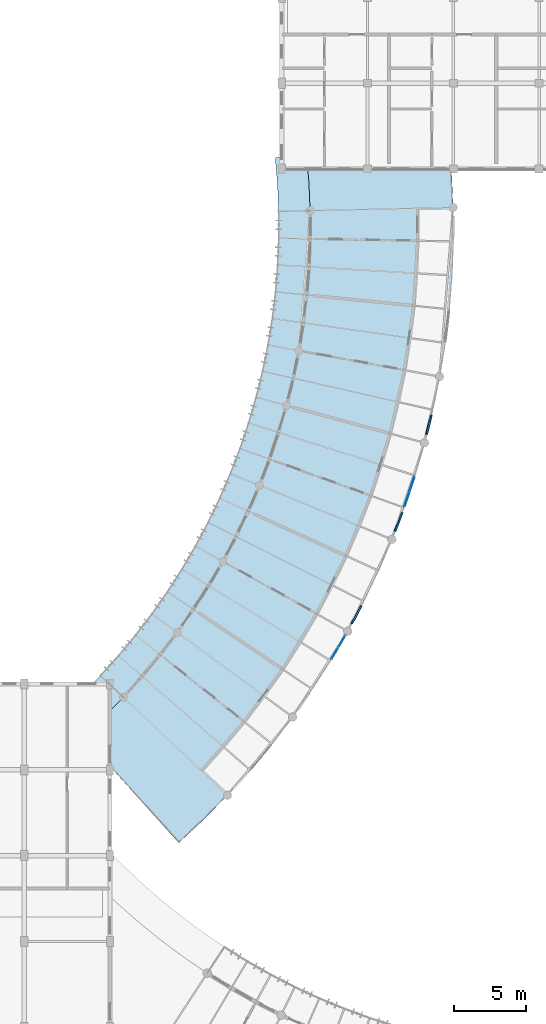
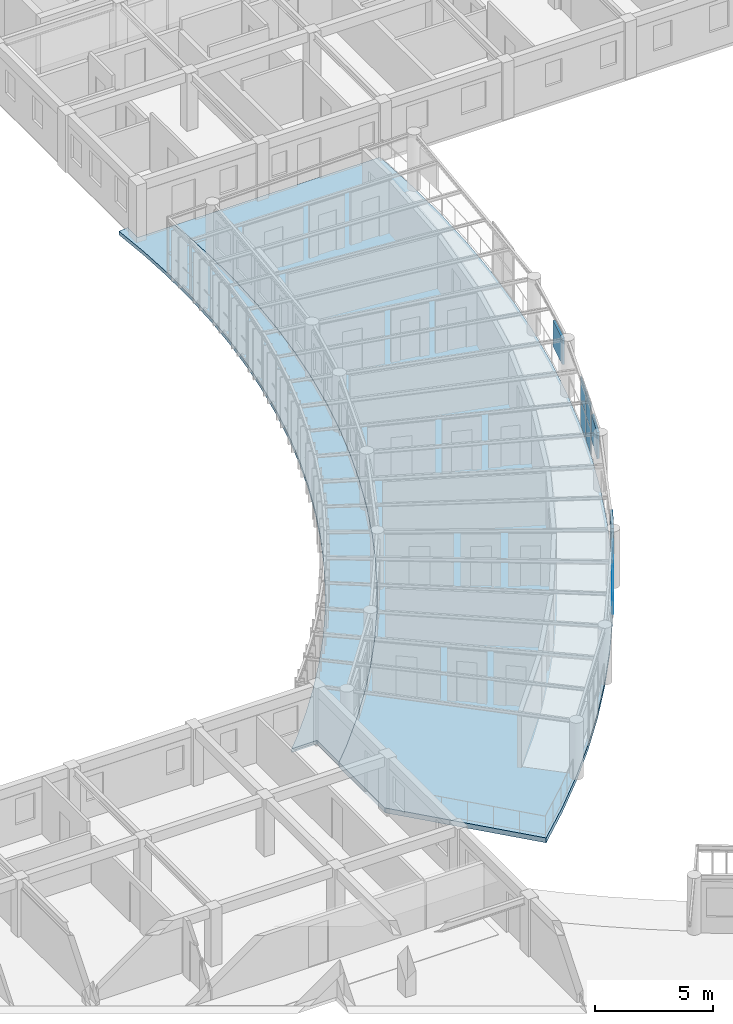
# One storey, part 45 of 101: 11 plates, 2 slabs, 2 elements without a shape of their own.
"""IFC4 building model written with IfcOpenShell, lengths in metres."""

from ifc_helpers import new_model, si_unit, direction, frame, origin, origin_2d, place, context, subcontext, project, spatial, polyline, rectangle, outline, extrude, material, layer, layer_set, type_object, element, aggregate, save


model = new_model("IFC4")

# Units and contexts
model_context = context("Model", 3, precision=1e-05, world=origin(), true_north=direction((0.0, 1.0)))
body_context = subcontext(model_context, "Body", "Model", "MODEL_VIEW")
ifc_project = project(units=[si_unit("LENGTHUNIT", "METRE"), si_unit("AREAUNIT", "SQUARE_METRE"), si_unit("VOLUMEUNIT", "CUBIC_METRE"), si_unit("PLANEANGLEUNIT", "RADIAN"), si_unit("MASSUNIT", "GRAM", prefix="KILO"), si_unit("POWERUNIT", "WATT"), si_unit("THERMODYNAMICTEMPERATUREUNIT", "KELVIN")], contexts=[model_context])

# Site, building, storey
site_placement = place(None, origin())
site = spatial("IfcSite", under=ifc_project, at=site_placement, CompositionType="ELEMENT")
building_placement = place(site_placement, origin())
building = spatial("IfcBuilding", under=site, at=building_placement, Name="Ruvembo Vaulted Housing Court", CompositionType="ELEMENT")
storey_placement = place(building_placement, frame((0.0, 0.0, 17.300048828125)))
storey = spatial("IfcBuildingStorey", under=building, at=storey_placement, Name="L05", CompositionType="ELEMENT", Elevation=17.300048828125)

# Curtain wall, plates
ifc_material_1 = material(Name="Anodised Aluminium and Solar-Control Glass", Category="aluminium")
ifc_layer_1 = layer(ifc_material_1, 0.139892578125, Name="Anodised Aluminium and Solar-Control Glass")
ifc_layer_set_1 = layer_set([ifc_layer_1], Name="Anodised Aluminium and Solar-Control Glass")
curtain_wall_type_1 = type_object("IfcCurtainWallType", Name="CW-SCOOP-PAN", PredefinedType="NOTDEFINED", material=ifc_layer_set_1)
curtain_wall_1_placement = place(storey_placement, origin())
curtain_wall_1 = element("IfcCurtainWall", 1, at=curtain_wall_1_placement, inside=storey, type_object=curtain_wall_type_1, Name="L05 Curtain Wall CW-L05-0027", PredefinedType="NOTDEFINED")
ifc_material_2 = material(Name="Solar-Control Laminated Insulating Glass", Category="glass")
ifc_layer_2 = layer(ifc_material_2, 0.035888671875, Name="Solar-Control Laminated Insulating Glass")
ifc_layer_set_2 = layer_set([ifc_layer_2], Name="Solar-Control Laminated Insulating Glass")
plate_type_1 = type_object("IfcPlateType", Name="CW-PANEL-ACOUST", PredefinedType="CURTAIN_PANEL", material=ifc_layer_set_2)
plate_1_placement = place(storey_placement, frame((56.764404296875, 54.927978515625, 0.06005859375), z_axis=(0.0, 0.0, 1.0), x_axis=(0.31983631808, 0.947472812083, 0.0)))
plate_1 = element("IfcPlate", 2, at=plate_1_placement, type_object=plate_type_1, Name="CW10 panel 1.1", PredefinedType="CURTAIN_PANEL", context=body_context, shape_type="SweptSolid", body=[
    extrude(rectangle(XDim=1.0556640625, YDim=0.035888671875, at=origin_2d()), origin(), (0.0, 0.0, 1.0), 1.2548828125),
])
plate_2_placement = place(storey_placement, frame((56.764404296875, 54.927978515625, 1.375), z_axis=(0.0, 0.0, 1.0), x_axis=(0.31983631808, 0.947472812083, 0.0)))
plate_2 = element("IfcPlate", 3, at=plate_2_placement, type_object=plate_type_1, Name="CW10 panel 1.2", PredefinedType="CURTAIN_PANEL", context=body_context, shape_type="SweptSolid", body=[
    extrude(rectangle(XDim=1.0556640625, YDim=0.035888671875, at=origin_2d()), origin(), (0.0, 0.0, 1.0), 1.2548828125),
])
plate_3_placement = place(storey_placement, frame((57.119873046875, 55.98046875, 0.06005859375), z_axis=(0.0, 0.0, 1.0), x_axis=(0.31983631808, 0.947472812083, 0.0)))
plate_3 = element("IfcPlate", 4, at=plate_3_placement, type_object=plate_type_1, Name="CW10 panel 2.1", PredefinedType="CURTAIN_PANEL", context=body_context, shape_type="SweptSolid", body=[
    extrude(rectangle(XDim=1.0556640625, YDim=0.035888671875, at=origin_2d()), origin(), (0.0, 0.0, 1.0), 1.2548828125),
])
plate_4_placement = place(storey_placement, frame((57.119873046875, 55.98046875, 1.375), z_axis=(0.0, 0.0, 1.0), x_axis=(0.31983631808, 0.947472812083, 0.0)))
plate_4 = element("IfcPlate", 5, at=plate_4_placement, type_object=plate_type_1, Name="CW10 panel 2.2", PredefinedType="CURTAIN_PANEL", context=body_context, shape_type="SweptSolid", body=[
    extrude(rectangle(XDim=1.0556640625, YDim=0.035888671875, at=origin_2d()), origin(), (0.0, 0.0, 1.0), 1.2548828125),
])
aggregate(curtain_wall_1, [plate_1, plate_2, plate_3, plate_4])

ifc_layer_3 = layer(ifc_material_1, 0.1201171875, Name="Anodised Aluminium and Solar-Control Glass")
ifc_layer_set_3 = layer_set([ifc_layer_3], Name="Anodised Aluminium and Solar-Control Glass")
curtain_wall_type_2 = type_object("IfcCurtainWallType", Name="CW-SCOOP-GAL", PredefinedType="NOTDEFINED", material=ifc_layer_set_3)
curtain_wall_2_placement = place(storey_placement, origin())
curtain_wall_2 = element("IfcCurtainWall", 6, at=curtain_wall_2_placement, inside=storey, type_object=curtain_wall_type_2, Name="L05 Curtain Wall CW-L05-0026", PredefinedType="NOTDEFINED")
ifc_layer_4 = layer(ifc_material_2, 0.028076171875, Name="Solar-Control Laminated Insulating Glass")
ifc_layer_set_4 = layer_set([ifc_layer_4], Name="Solar-Control Laminated Insulating Glass")
plate_type_2 = type_object("IfcPlateType", Name="CW-PANEL-GLAZED", PredefinedType="CURTAIN_PANEL", material=ifc_layer_set_4)
plate_5_placement = place(storey_placement, frame((51.70849609375, 44.133056640625, 0.06005859375), z_axis=(0.0, 0.0, 1.0), x_axis=(0.505885385784, 0.862600705107, 0.0)))
plate_5 = element("IfcPlate", 7, at=plate_5_placement, type_object=plate_type_2, Name="CW6 panel 1.1", PredefinedType="CURTAIN_PANEL", context=body_context, shape_type="SweptSolid", body=[
    extrude(rectangle(XDim=0.915771484375, YDim=0.028076171875, at=origin_2d()), origin(), (0.0, 0.0, 1.0), 1.2548828125),
])
plate_6_placement = place(storey_placement, frame((51.70849609375, 44.133056640625, 1.375), z_axis=(0.0, 0.0, 1.0), x_axis=(0.505885385784, 0.862600705107, 0.0)))
plate_6 = element("IfcPlate", 8, at=plate_6_placement, type_object=plate_type_2, Name="CW6 panel 1.2", PredefinedType="CURTAIN_PANEL", context=body_context, shape_type="SweptSolid", body=[
    extrude(rectangle(XDim=0.915771484375, YDim=0.028076171875, at=origin_2d()), origin(), (0.0, 0.0, 1.0), 1.2548828125),
])
plate_7_placement = place(storey_placement, frame((52.20458984375, 44.97900390625, 0.06005859375), z_axis=(0.0, 0.0, 1.0), x_axis=(0.505885385784, 0.862600705107, 0.0)))
plate_7 = element("IfcPlate", 9, at=plate_7_placement, type_object=plate_type_2, Name="CW6 panel 2.1", PredefinedType="CURTAIN_PANEL", context=body_context, shape_type="SweptSolid", body=[
    extrude(rectangle(XDim=0.915771484375, YDim=0.028076171875, at=origin_2d()), origin(), (0.0, 0.0, 1.0), 1.2548828125),
])
plate_8_placement = place(storey_placement, frame((52.20458984375, 44.97900390625, 1.375), z_axis=(0.0, 0.0, 1.0), x_axis=(0.505885385784, 0.862600705107, 0.0)))
plate_8 = element("IfcPlate", 10, at=plate_8_placement, type_object=plate_type_2, Name="CW6 panel 2.2", PredefinedType="CURTAIN_PANEL", context=body_context, shape_type="SweptSolid", body=[
    extrude(rectangle(XDim=0.915771484375, YDim=0.028076171875, at=origin_2d()), origin(), (0.0, 0.0, 1.0), 1.2548828125),
])
aggregate(curtain_wall_2, [plate_5, plate_6, plate_7, plate_8])

# Plates
ifc_material_3 = material(Name="Perforated Glazed Ceramic Cobogo Block", Category="ceramic")
ifc_layer_5 = layer(ifc_material_3, 0.1201171875, Name="Perforated Glazed Ceramic Cobogo Block")
ifc_layer_set_5 = layer_set([ifc_layer_5], Name="Perforated Glazed Ceramic Cobogo Block")
plate_type_3 = type_object("IfcPlateType", Name="PL-COBOGO-120", PredefinedType="USERDEFINED", material=ifc_layer_set_5)
for number, where, z_axis, x_axis, name in (
    (11, (53.23828125, 46.847900390625, 1.1201171875), (0.0, 0.0, 1.0), (0.470134075244, 0.882595009783, 0.0), "Scoop SC1 L05 Ceramic Cobogo Screen #27"),
    (12, (56.18115234375, 53.335693359375, 1.1201171875), (0.0, 0.0, 1.0), (0.358335361222, 0.93359293533, 0.0), "Scoop SC1 L05 Ceramic Cobogo Screen #28"),
    (13, (58.30615234375, 60.135498046875, 1.1201171875), (0.0, 0.0, 1.0), (0.241193628767, 0.970477013351, 0.0), "Scoop SC1 L05 Ceramic Cobogo Screen #29"),
):
    element("IfcPlate", number, at=place(storey_placement, frame(where, z_axis=z_axis, x_axis=x_axis)), inside=storey, type_object=plate_type_3, Name=name, ObjectType="COBOGO_PANEL", PredefinedType="USERDEFINED", context=body_context, shape_type="SweptSolid", body=[
        extrude(rectangle(XDim=1.39990234375, YDim=0.1201171875, at=origin_2d()), origin(), (0.0, 0.0, 1.0), 1.360107421875),
    ])

# Slabs
ifc_material_4 = material(Name="Concrete C35/45", Category="concrete")
ifc_layer_6 = layer(ifc_material_4, 0.18994140625, Name="Concrete C35/45")
ifc_layer_set_6 = layer_set([ifc_layer_6], Name="Concrete C35/45")
slab_type_1 = type_object("IfcSlabType", Name="SL-BAL-190", PredefinedType="FLOOR", material=ifc_layer_set_6)
slab_1_placement = place(storey_placement, frame((0.0, 0.0, -0.18994140625)))
element("IfcSlab", 14, at=slab_1_placement, inside=storey, type_object=slab_type_1, Name="Scoop SC1 L05 Continuous Curved Balcony Slab", PredefinedType="FLOOR", context=body_context, shape_type="SweptSolid", body=[
    extrude(outline(polyline([(34.753173828125, 42.0), (36.0, 42.0), (36.0, 40.13037109375), (36.9306640625, 41.078125), (38.25, 42.53662109375), (39.50830078125, 44.048095703125), (40.7041015625, 45.60986328125), (41.83447265625, 47.21923828125), (42.898193359375, 48.87353515625), (43.89306640625, 50.570068359375), (44.81787109375, 52.305908203125), (45.670654296875, 54.078125), (46.449951171875, 55.8837890625), (47.15478515625, 57.719970703125), (47.783935546875, 59.58349609375), (48.3359375, 61.47119140625), (48.810302734375, 63.3798828125), (49.206298828125, 65.306396484375), (49.522705078125, 67.24755859375), (49.759521484375, 69.199951171875), (49.916015625, 71.16064453125), (49.991943359375, 73.1259765625), (49.987548828125, 75.092529296875), (49.902587890625, 77.0576171875), (49.822998046875, 78.0), (48.0, 78.0), (48.0, 78.834716796875), (47.549072265625, 78.787353515625), (47.70703125, 76.91748046875), (47.7880859375, 75.04248046875), (47.79248046875, 73.166015625), (47.7197265625, 71.290771484375), (47.5703125, 69.419921875), (47.344482421875, 67.556884765625), (47.04248046875, 65.704833984375), (46.664794921875, 63.86669921875), (46.21240234375, 62.04541015625), (45.685546875, 60.244140625), (45.085205078125, 58.46630859375), (44.41259765625, 56.714111328125), (43.6689453125, 54.9912109375), (42.855224609375, 53.30029296875), (41.972900390625, 51.643798828125), (41.023681640625, 50.025146484375), (40.0087890625, 48.446533203125), (38.929931640625, 46.910888671875), (37.789306640625, 45.4208984375), (36.58837890625, 43.978759765625), (35.32958984375, 42.5869140625), (34.753173828125, 42.0)])), origin(), (0.0, 0.0, 1.0), 0.18994140625),
])
ifc_layer_7 = layer(ifc_material_4, 0.251953125, Name="Concrete C35/45")
ifc_layer_set_7 = layer_set([ifc_layer_7], Name="Concrete C35/45")
slab_type_2 = type_object("IfcSlabType", Name="SL-SCOOP-252", PredefinedType="FLOOR", material=ifc_layer_set_7)
slab_2_placement = place(storey_placement, frame((0.0, 0.0, -0.251953125)))
element("IfcSlab", 15, at=slab_2_placement, inside=storey, type_object=slab_type_2, Name="Scoop SC1 L05 Floor Slab", PredefinedType="FLOOR", context=body_context, shape_type="SweptSolid", body=[
    extrude(outline(polyline([(36.0, 40.13037109375), (36.0, 36.2392578125), (40.8095703125, 30.897705078125), (42.542724609375, 32.523681640625), (44.207763671875, 34.21923828125), (45.802001953125, 35.981689453125), (47.32275390625, 37.80810546875), (48.767333984375, 39.6953125), (50.13330078125, 41.639892578125), (51.418701171875, 43.638916015625), (52.620849609375, 45.688720703125), (53.73828125, 47.786376953125), (54.7685546875, 49.927734375), (55.71044921875, 52.109619140625), (56.56201171875, 54.328369140625), (57.322265625, 56.580078125), (57.989501953125, 58.861083984375), (58.5625, 61.16748046875), (59.040771484375, 63.495361328125), (59.423095703125, 65.8408203125), (59.709228515625, 68.199951171875), (59.8984375, 70.569091796875), (59.990478515625, 72.94384765625), (59.985107421875, 75.3203125), (59.882080078125, 77.694580078125), (59.8564453125, 78.0), (49.822998046875, 78.0), (49.902587890625, 77.0576171875), (49.987548828125, 75.092529296875), (49.991943359375, 73.1259765625), (49.916015625, 71.16064453125), (49.759521484375, 69.199951171875), (49.522705078125, 67.24755859375), (49.206298828125, 65.306396484375), (48.810302734375, 63.3798828125), (48.3359375, 61.47119140625), (47.783935546875, 59.58349609375), (47.15478515625, 57.719970703125), (46.449951171875, 55.8837890625), (45.670654296875, 54.078125), (44.81787109375, 52.305908203125), (43.89306640625, 50.570068359375), (42.898193359375, 48.87353515625), (41.83447265625, 47.21923828125), (40.7041015625, 45.60986328125), (39.50830078125, 44.048095703125), (38.25, 42.53662109375), (36.9306640625, 41.078125), (36.0, 40.13037109375)])), origin(), (0.0, 0.0, 1.0), 0.251953125),
])

save(model, "model.ifc")
